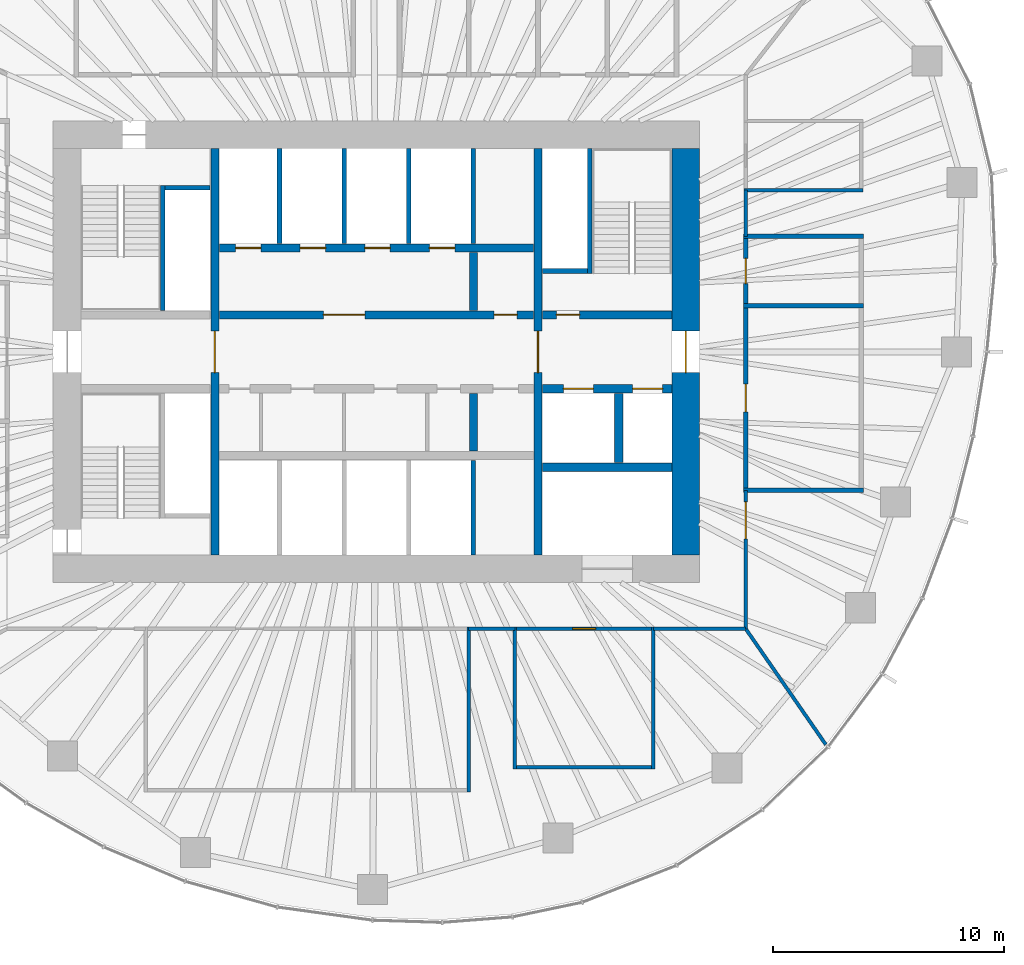
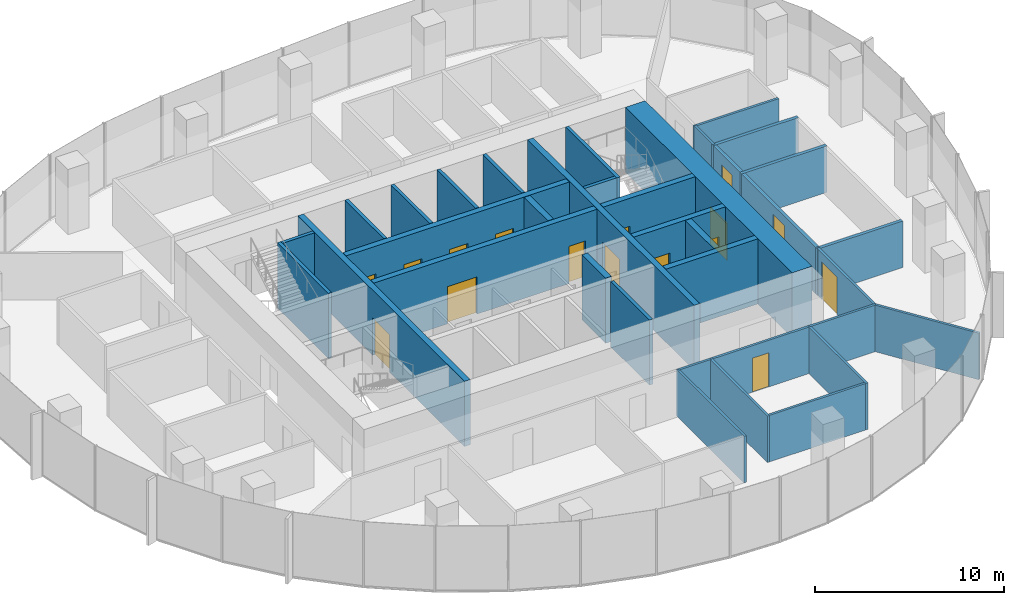
# One storey, part 9 of 11: 36 walls, 16 doors, 16 openings.
"""IFC4 building model written with IfcOpenShell, lengths in metres."""

from ifc_helpers import new_model, si_unit, direction, frame, frame_2d, origin, place, context, subcontext, project, spatial, rectangle, extrude, material, layer, layer_set, type_object, element, fill, save


model = new_model("IFC4")

# Units and contexts
model_context = context("Model", 3, precision=1e-05, world=origin(), true_north=direction((0.0, 1.0)))
body_context = subcontext(model_context, "Body", "Model", "MODEL_VIEW")
ifc_project = project(units=[si_unit("LENGTHUNIT", "METRE"), si_unit("AREAUNIT", "SQUARE_METRE"), si_unit("VOLUMEUNIT", "CUBIC_METRE"), si_unit("PLANEANGLEUNIT", "RADIAN"), si_unit("MASSUNIT", "GRAM", prefix="KILO")], contexts=[model_context])

# Site, building, storey
site_placement = place(None, origin())
site = spatial("IfcSite", under=ifc_project, at=site_placement, CompositionType="ELEMENT")
building_placement = place(site_placement, origin())
building = spatial("IfcBuilding", under=site, at=building_placement, Name="Ghaith Harvest Tower", CompositionType="ELEMENT")
storey_placement = place(building_placement, frame((0.0, 0.0, 215.800048828125)))
storey = spatial("IfcBuildingStorey", under=building, at=storey_placement, Name="L47", CompositionType="ELEMENT", Elevation=215.800048828125)

# Walls
ifc_material_1 = material(Name="Twin-stud gypsum board, acoustic", Category="gypsum")
ifc_layer_1 = layer(ifc_material_1, 0.199951171875)
ifc_layer_set_1 = layer_set([ifc_layer_1], Name="ACOUSTIC PARTITION 200")
wall_type_1 = type_object("IfcWallType", Name="ACOUSTIC PARTITION 200", PredefinedType="PARTITIONING", material=ifc_layer_set_1)
for number, where, z_axis, x_axis, name in (
    (1, (15.89990234375, -6.0, 0.0), (0.0, 0.0, 1.0), (1.0, 0.0, 0.0), "Partition L47 row E5 cross wall 1"),
    (2, (15.89990234375, 2.0, 0.0), (0.0, 0.0, 1.0), (1.0, 0.0, 0.0), "Partition L47 row E5 cross wall 2"),
    (3, (15.89990234375, 5.0, 0.0), (0.0, 0.0, 1.0), (1.0, 0.0, 0.0), "Partition L47 row E5 cross wall 3"),
):
    element("IfcWall", number, at=place(storey_placement, frame(where, z_axis=z_axis, x_axis=x_axis)), inside=storey, type_object=wall_type_1, Name=name, PredefinedType="PARTITIONING", context=body_context, shape_type="SweptSolid", body=[
        extrude(rectangle(XDim=5.2001953125, YDim=0.199951171875, at=frame_2d((2.60009765625, 0.0))), origin(), (0.0, 0.0, 1.0), 3.0),
    ])

# Wall, opening, door
wall_1_placement = place(storey_placement, frame((16.0, -5.89990234375, 0.0), z_axis=(0.0, 0.0, 1.0), x_axis=(0.0, 1.0, 0.0)))
wall_1 = element("IfcWall", 4, at=wall_1_placement, inside=storey, type_object=wall_type_1, Name="Partition L47-10", PredefinedType="PARTITIONING", context=body_context, shape_type="SweptSolid", body=[
    extrude(rectangle(XDim=7.7998046875, YDim=0.199951171875, at=frame_2d((3.89990234375, 0.0))), origin(), (0.0, 0.0, 1.0), 3.0),
])
opening_1_placement = place(wall_1_placement, frame((3.300048828125, 0.0, 0.0)))
opening_1 = element("IfcOpeningElement", 5, at=opening_1_placement, cuts=wall_1, Name="Opening 47-031", PredefinedType="OPENING", context=body_context, shape_type="SweptSolid", body=[
    extrude(rectangle(XDim=1.199951171875, YDim=2.39990234375, at=frame_2d((0.60009765625, 1.199951171875))), frame((0.0, 0.10986328125, 0.0), z_axis=(0.0, -1.0, 0.0), x_axis=(1.0, 0.0, 0.0)), (0.0, 0.0, 1.0), 0.219970703125),
])
ifc_material_2 = material(Name="Timber door", Category="wood")
door_type_1 = type_object("IfcDoorType", Name="D11 GLAZED 1200x2400", OperationType="SINGLE_SWING_LEFT", PredefinedType="DOOR", material=ifc_material_2)
door_1_placement = place(opening_1_placement, origin())
door_1 = element("IfcDoor", 6, at=door_1_placement, inside=storey, type_object=door_type_1, Name="Meeting room door", OperationType="SINGLE_SWING_LEFT", OverallHeight=2.39990234375, OverallWidth=1.199951171875, PredefinedType="DOOR", context=body_context, shape_type="SweptSolid", body=[
    extrude(rectangle(XDim=1.199951171875, YDim=2.39990234375, at=frame_2d((0.60009765625, 1.199951171875))), frame((0.0, 0.02490234375, 0.0), z_axis=(0.0, -1.0, 0.0), x_axis=(1.0, 0.0, 0.0)), (0.0, 0.0, 1.0), 0.050048828125),
])
fill(opening_1, door_1)

wall_2_placement = place(storey_placement, frame((16.0, 2.10009765625, 0.0), z_axis=(0.0, 0.0, 1.0), x_axis=(0.0, 1.0, 0.0)))
wall_2 = element("IfcWall", 7, at=wall_2_placement, inside=storey, type_object=wall_type_1, Name="Partition L47-11", PredefinedType="PARTITIONING", context=body_context, shape_type="SweptSolid", body=[
    extrude(rectangle(XDim=2.7998046875, YDim=0.199951171875, at=frame_2d((1.39990234375, 0.0))), origin(), (0.0, 0.0, 1.0), 3.0),
])
opening_2_placement = place(wall_2_placement, frame((0.85009765625, 0.0, 0.0)))
opening_2 = element("IfcOpeningElement", 8, at=opening_2_placement, cuts=wall_2, Name="Opening 47-032", PredefinedType="OPENING", context=body_context, shape_type="SweptSolid", body=[
    extrude(rectangle(XDim=1.10009765625, YDim=2.300048828125, at=frame_2d((0.550048828125, 1.14990234375))), frame((0.0, 0.10986328125, 0.0), z_axis=(0.0, -1.0, 0.0), x_axis=(1.0, 0.0, 0.0)), (0.0, 0.0, 1.0), 0.219970703125),
])
ifc_material_3 = material(Name="Timber-framed glazed door", Category="wood")
door_type_2 = type_object("IfcDoorType", Name="D12 GLAZED OFFICE 1100x2300", OperationType="SINGLE_SWING_LEFT", PredefinedType="DOOR", material=ifc_material_3)
door_2_placement = place(opening_2_placement, origin())
door_2 = element("IfcDoor", 9, at=door_2_placement, inside=storey, type_object=door_type_2, Name="Focus room door", OperationType="SINGLE_SWING_LEFT", OverallHeight=2.300048828125, OverallWidth=1.10009765625, PredefinedType="DOOR", context=body_context, shape_type="SweptSolid", body=[
    extrude(rectangle(XDim=1.10009765625, YDim=2.300048828125, at=frame_2d((0.550048828125, 1.14990234375))), frame((0.0, 0.02490234375, 0.0), z_axis=(0.0, -1.0, 0.0), x_axis=(1.0, 0.0, 0.0)), (0.0, 0.0, 1.0), 0.050048828125),
])
fill(opening_2, door_2)

ifc_material_4 = material(Name="Concrete C60/75", Category="concrete")
ifc_layer_2 = layer(ifc_material_4, 1.199951171875)
ifc_layer_set_2 = layer_set([ifc_layer_2], Name="CORE WALL CW1200 C60")
wall_type_2 = type_object("IfcWallType", Name="CORE WALL CW1200 C60", PredefinedType="SHEAR", material=ifc_layer_set_2)
wall_3_placement = place(storey_placement, frame((13.39990234375, -8.800048828125, 0.0), z_axis=(0.0, 0.0, 1.0), x_axis=(0.0, 1.0, 0.0)))
wall_3 = element("IfcWall", 10, at=wall_3_placement, inside=storey, type_object=wall_type_2, Name="Core wall E L47", PredefinedType="SHEAR", context=body_context, shape_type="SweptSolid", body=[
    extrude(rectangle(XDim=17.60009765625, YDim=1.199951171875, at=frame_2d((8.800048828125, 0.0))), origin(), (0.0, 0.0, 1.0), 4.199951171875),
])
opening_3_placement = place(wall_3_placement, frame((7.89990234375, 0.0, 0.0)))
opening_3 = element("IfcOpeningElement", 11, at=opening_3_placement, cuts=wall_3, Name="Opening 47-002", PredefinedType="OPENING", context=body_context, shape_type="SweptSolid", body=[
    extrude(rectangle(XDim=1.800048828125, YDim=2.39990234375, at=frame_2d((0.89990234375, 1.199951171875))), frame((0.0, 0.60986328125, 0.0), z_axis=(0.0, -1.0, 0.0), x_axis=(1.0, 0.0, 0.0)), (0.0, 0.0, 1.0), 1.219970703125),
])
ifc_material_5 = material(Name="Steel fire door", Category="steel")
door_type_3 = type_object("IfcDoorType", Name="D4 FD90 PAIR 1800x2400", OperationType="DOUBLE_DOOR_SINGLE_SWING", PredefinedType="DOOR", material=ifc_material_5)
door_3_placement = place(opening_3_placement, origin())
door_3 = element("IfcDoor", 12, at=door_3_placement, inside=storey, type_object=door_type_3, Name="Fire-fighting lobby doors", OperationType="DOUBLE_DOOR_SINGLE_SWING", OverallHeight=2.39990234375, OverallWidth=1.800048828125, PredefinedType="DOOR", context=body_context, shape_type="SweptSolid", body=[
    extrude(rectangle(XDim=1.800048828125, YDim=2.39990234375, at=frame_2d((0.89990234375, 1.199951171875))), frame((0.0, 0.02490234375, 0.0), z_axis=(0.0, -1.0, 0.0), x_axis=(1.0, 0.0, 0.0)), (0.0, 0.0, 1.0), 0.050048828125),
])
fill(opening_3, door_3)

# Walls
ifc_material_6 = material(Name="Concrete blockwork, 2-hour", Category="masonry")
ifc_layer_3 = layer(ifc_material_6, 0.199951171875)
ifc_layer_set_3 = layer_set([ifc_layer_3], Name="LIFT SHAFT WALL 200")
wall_type_3 = type_object("IfcWallType", Name="LIFT SHAFT WALL 200", PredefinedType="PARTITIONING", material=ifc_layer_set_3)
for number, where, z_axis, x_axis, name in (
    (13, (-4.199951171875, 4.699951171875, 0.0), (0.0, 0.0, 1.0), (0.0, 1.0, 0.0), "Lift shaft wall L47"),
    (14, (-1.39990234375, 4.699951171875, 0.0), (0.0, 0.0, 1.0), (0.0, 1.0, 0.0), "Lift shaft wall L47"),
    (15, (1.39990234375, 4.699951171875, 0.0), (0.0, 0.0, 1.0), (0.0, 1.0, 0.0), "Lift shaft wall L47"),
    (16, (4.199951171875, 4.699951171875, 0.0), (0.0, 0.0, 1.0), (0.0, 1.0, 0.0), "Lift shaft wall L47"),
    (17, (4.199951171875, -4.699951171875, 0.0), (0.0, 0.0, 1.0), (0.0, -1.0, 0.0), "Lift shaft wall L47"),
):
    element("IfcWall", number, at=place(storey_placement, frame(where, z_axis=z_axis, x_axis=x_axis)), inside=storey, type_object=wall_type_3, Name=name, PredefinedType="PARTITIONING", context=body_context, shape_type="SweptSolid", body=[
        extrude(rectangle(XDim=4.10009765625, YDim=0.199951171875, at=frame_2d((2.050048828125, 0.0))), origin(), (0.0, 0.0, 1.0), 4.199951171875),
    ])
ifc_material_7 = material(Name="Gypsum board on steel studs", Category="steel")
ifc_layer_4 = layer(ifc_material_7, 0.14990234375)
ifc_layer_set_4 = layer_set([ifc_layer_4], Name="PARTITION 150")
wall_type_4 = type_object("IfcWallType", Name="PARTITION 150", PredefinedType="PARTITIONING", material=ifc_layer_set_4)
wall_4_placement = place(storey_placement, frame((4.0, -11.925048828125, 0.0), z_axis=(0.0, 0.0, 1.0), x_axis=(0.0, -1.0, 0.0)))
element("IfcWall", 18, at=wall_4_placement, inside=storey, type_object=wall_type_4, Name="Partition L47 row S3 cross wall 3", PredefinedType="PARTITIONING", context=body_context, shape_type="SweptSolid", body=[
    extrude(rectangle(XDim=7.14990234375, YDim=0.14990234375, at=frame_2d((3.574951171875, 0.0))), origin(), (0.0, 0.0, 1.0), 3.0),
])
for number, where, z_axis, x_axis, name in (
    (19, (6.0, -11.925048828125, 0.0), (0.0, 0.0, 1.0), (0.0, -1.0, 0.0), "Partition L47 row S4 cross wall 1"),
    (20, (12.0, -11.925048828125, 0.0), (0.0, 0.0, 1.0), (0.0, -1.0, 0.0), "Partition L47 row S4 cross wall 2"),
):
    element("IfcWall", number, at=place(storey_placement, frame(where, z_axis=z_axis, x_axis=x_axis)), inside=storey, type_object=wall_type_4, Name=name, PredefinedType="PARTITIONING", context=body_context, shape_type="SweptSolid", body=[
        extrude(rectangle(XDim=6.14990234375, YDim=0.14990234375, at=frame_2d((3.074951171875, 0.0))), origin(), (0.0, 0.0, 1.0), 3.0),
    ])

# Wall, opening, door
wall_5_placement = place(storey_placement, frame((6.074951171875, -12.0, 0.0), z_axis=(0.0, 0.0, 1.0), x_axis=(1.0, 0.0, 0.0)))
wall_5 = element("IfcWall", 21, at=wall_5_placement, inside=storey, type_object=wall_type_4, Name="Partition L47-09", PredefinedType="PARTITIONING", context=body_context, shape_type="SweptSolid", body=[
    extrude(rectangle(XDim=5.85009765625, YDim=0.14990234375, at=frame_2d((2.925048828125, 0.0))), origin(), (0.0, 0.0, 1.0), 3.0),
])
opening_4_placement = place(wall_5_placement, frame((2.425048828125, 0.0, 0.0)))
opening_4 = element("IfcOpeningElement", 22, at=opening_4_placement, cuts=wall_5, Name="Opening 47-030", PredefinedType="OPENING", context=body_context, shape_type="SweptSolid", body=[
    extrude(rectangle(XDim=1.0, YDim=2.199951171875, at=frame_2d((0.5, 1.10009765625))), frame((0.0, 0.0849609375, 0.0), z_axis=(0.0, -1.0, 0.0), x_axis=(1.0, 0.0, 0.0)), (0.0, 0.0, 1.0), 0.169921875),
])
ifc_material_8 = material(Name="Timber door", Category="wood")
door_type_4 = type_object("IfcDoorType", Name="D1 SINGLE 1000x2200", OperationType="SINGLE_SWING_LEFT", PredefinedType="DOOR", material=ifc_material_8)
door_4_placement = place(opening_4_placement, origin())
door_4 = element("IfcDoor", 23, at=door_4_placement, inside=storey, type_object=door_type_4, Name="Pantry door", OperationType="SINGLE_SWING_LEFT", OverallHeight=2.199951171875, OverallWidth=1.0, PredefinedType="DOOR", context=body_context, shape_type="SweptSolid", body=[
    extrude(rectangle(XDim=1.0, YDim=2.199951171875, at=frame_2d((0.5, 1.10009765625))), frame((0.0, 0.02490234375, 0.0), z_axis=(0.0, -1.0, 0.0), x_axis=(1.0, 0.0, 0.0)), (0.0, 0.0, 1.0), 0.050048828125),
])
fill(opening_4, door_4)

# Walls
wall_6_placement = place(storey_placement, frame((6.074951171875, -18.0, 0.0), z_axis=(0.0, 0.0, 1.0), x_axis=(1.0, 0.0, 0.0)))
element("IfcWall", 24, at=wall_6_placement, inside=storey, type_object=wall_type_4, Name="Partition L47-09", PredefinedType="PARTITIONING", context=body_context, shape_type="SweptSolid", body=[
    extrude(rectangle(XDim=5.85009765625, YDim=0.14990234375, at=frame_2d((2.925048828125, 0.0))), origin(), (0.0, 0.0, 1.0), 3.0),
])
wall_7_placement = place(storey_placement, frame((15.925048828125, 7.0, 0.0), z_axis=(0.0, 0.0, 1.0), x_axis=(1.0, 0.0, 0.0)))
element("IfcWall", 25, at=wall_7_placement, inside=storey, type_object=wall_type_4, Name="Partition L47 row E7 cross wall 1", PredefinedType="PARTITIONING", context=body_context, shape_type="SweptSolid", body=[
    extrude(rectangle(XDim=5.14990234375, YDim=0.14990234375, at=frame_2d((2.574951171875, 0.0))), origin(), (0.0, 0.0, 1.0), 3.0),
])
wall_8_placement = place(storey_placement, frame((16.011474609375, -12.016357421875, 0.0), z_axis=(0.0, 0.0, 1.0), x_axis=(0.568863489071, -0.822431961199, 0.0)))
element("IfcWall", 26, at=wall_8_placement, inside=storey, type_object=wall_type_4, Name="Partition L47 zone division", PredefinedType="PARTITIONING", context=body_context, shape_type="SweptSolid", body=[
    extrude(rectangle(XDim=6.0830078125, YDim=0.14990234375, at=frame_2d((3.04150390625, 0.0))), origin(), (0.0, 0.0, 1.0), 3.0),
])

# Wall, opening, door
wall_9_placement = place(storey_placement, frame((16.0, -12.0, 0.0), z_axis=(0.0, 0.0, 1.0), x_axis=(0.0, 1.0, 0.0)))
wall_9 = element("IfcWall", 27, at=wall_9_placement, inside=storey, type_object=wall_type_4, Name="Partition L47 zone enclosure", PredefinedType="PARTITIONING", context=body_context, shape_type="SweptSolid", body=[
    extrude(rectangle(XDim=6.0, YDim=0.14990234375, at=frame_2d((3.0, 0.0))), origin(), (0.0, 0.0, 1.0), 3.0),
])
opening_5_placement = place(wall_9_placement, frame((3.89990234375, 0.0, 0.0)))
opening_5 = element("IfcOpeningElement", 28, at=opening_5_placement, cuts=wall_9, Name="Opening 47-037", PredefinedType="OPENING", context=body_context, shape_type="SweptSolid", body=[
    extrude(rectangle(XDim=1.60009765625, YDim=2.39990234375, at=frame_2d((0.800048828125, 1.199951171875))), frame((0.0, 0.0849609375, 0.0), z_axis=(0.0, -1.0, 0.0), x_axis=(1.0, 0.0, 0.0)), (0.0, 0.0, 1.0), 0.169921875),
])
ifc_material_9 = material(Name="Timber door", Category="wood")
door_type_5 = type_object("IfcDoorType", Name="D2 PAIR 1600x2400", OperationType="DOUBLE_DOOR_SINGLE_SWING", PredefinedType="DOOR", material=ifc_material_9)
door_5_placement = place(opening_5_placement, origin())
door_5 = element("IfcDoor", 29, at=door_5_placement, inside=storey, type_object=door_type_5, Name="Engineering studio east door", OperationType="DOUBLE_DOOR_SINGLE_SWING", OverallHeight=2.39990234375, OverallWidth=1.60009765625, PredefinedType="DOOR", context=body_context, shape_type="SweptSolid", body=[
    extrude(rectangle(XDim=1.60009765625, YDim=2.39990234375, at=frame_2d((0.800048828125, 1.199951171875))), frame((0.0, 0.02490234375, 0.0), z_axis=(0.0, -1.0, 0.0), x_axis=(1.0, 0.0, 0.0)), (0.0, 0.0, 1.0), 0.050048828125),
])
fill(opening_5, door_5)

# Walls
for number, where, z_axis, x_axis, name in (
    (30, (16.0, 5.0, 0.0), (0.0, 0.0, 1.0), (0.0, 1.0, 0.0), "Partition L47 zone enclosure"),
    (31, (4.0, -12.0, 0.0), (0.0, 0.0, 1.0), (1.0, 0.0, 0.0), "Partition L47 zone enclosure"),
):
    element("IfcWall", number, at=place(storey_placement, frame(where, z_axis=z_axis, x_axis=x_axis)), inside=storey, type_object=wall_type_4, Name=name, PredefinedType="PARTITIONING", context=body_context, shape_type="SweptSolid", body=[
        extrude(rectangle(XDim=2.0, YDim=0.14990234375, at=frame_2d((1.0, 0.0))), origin(), (0.0, 0.0, 1.0), 3.0),
    ])
wall_10_placement = place(storey_placement, frame((12.0, -12.0, 0.0), z_axis=(0.0, 0.0, 1.0), x_axis=(1.0, 0.0, 0.0)))
element("IfcWall", 32, at=wall_10_placement, inside=storey, type_object=wall_type_4, Name="Partition L47 zone enclosure", PredefinedType="PARTITIONING", context=body_context, shape_type="SweptSolid", body=[
    extrude(rectangle(XDim=4.0, YDim=0.14990234375, at=frame_2d((2.0, 0.0))), origin(), (0.0, 0.0, 1.0), 3.0),
])

# Wall, opening, door
ifc_material_10 = material(Name="Concrete C60/75", Category="concrete")
ifc_layer_5 = layer(ifc_material_10, 0.35009765625)
ifc_layer_set_5 = layer_set([ifc_layer_5], Name="SHAFT WALL 350")
wall_type_5 = type_object("IfcWallType", Name="SHAFT WALL 350", PredefinedType="SHEAR", material=ifc_layer_set_5)
wall_11_placement = place(storey_placement, frame((-7.0, -8.800048828125, 0.0), z_axis=(0.0, 0.0, 1.0), x_axis=(0.0, 1.0, 0.0)))
wall_11 = element("IfcWall", 33, at=wall_11_placement, inside=storey, type_object=wall_type_5, Name="Shaft wall W7W L47", PredefinedType="SHEAR", context=body_context, shape_type="SweptSolid", body=[
    extrude(rectangle(XDim=17.60009765625, YDim=0.35009765625, at=frame_2d((8.800048828125, 0.0))), origin(), (0.0, 0.0, 1.0), 4.199951171875),
])
opening_6_placement = place(wall_11_placement, frame((7.89990234375, 0.0, 0.0)))
opening_6 = element("IfcOpeningElement", 34, at=opening_6_placement, cuts=wall_11, Name="Opening 47-003", PredefinedType="OPENING", context=body_context, shape_type="SweptSolid", body=[
    extrude(rectangle(XDim=1.800048828125, YDim=2.39990234375, at=frame_2d((0.89990234375, 1.199951171875))), frame((0.0, 0.18505859375, 0.0), z_axis=(0.0, -1.0, 0.0), x_axis=(1.0, 0.0, 0.0)), (0.0, 0.0, 1.0), 0.3701171875),
])
door_6_placement = place(opening_6_placement, origin())
door_6 = element("IfcDoor", 35, at=door_6_placement, inside=storey, type_object=door_type_3, Name="Lift lobby doors, west", OperationType="DOUBLE_DOOR_SINGLE_SWING", OverallHeight=2.39990234375, OverallWidth=1.800048828125, PredefinedType="DOOR", context=body_context, shape_type="SweptSolid", body=[
    extrude(rectangle(XDim=1.800048828125, YDim=2.39990234375, at=frame_2d((0.89990234375, 1.199951171875))), frame((0.0, 0.02490234375, 0.0), z_axis=(0.0, -1.0, 0.0), x_axis=(1.0, 0.0, 0.0)), (0.0, 0.0, 1.0), 0.050048828125),
])
fill(opening_6, door_6)

wall_12_placement = place(storey_placement, frame((7.0, -8.800048828125, 0.0), z_axis=(0.0, 0.0, 1.0), x_axis=(0.0, 1.0, 0.0)))
wall_12 = element("IfcWall", 36, at=wall_12_placement, inside=storey, type_object=wall_type_5, Name="Shaft wall W7E L47", PredefinedType="SHEAR", context=body_context, shape_type="SweptSolid", body=[
    extrude(rectangle(XDim=17.60009765625, YDim=0.35009765625, at=frame_2d((8.800048828125, 0.0))), origin(), (0.0, 0.0, 1.0), 4.199951171875),
])
opening_7_placement = place(wall_12_placement, frame((7.89990234375, 0.0, 0.0)))
opening_7 = element("IfcOpeningElement", 37, at=opening_7_placement, cuts=wall_12, Name="Opening 47-004", PredefinedType="OPENING", context=body_context, shape_type="SweptSolid", body=[
    extrude(rectangle(XDim=1.800048828125, YDim=2.39990234375, at=frame_2d((0.89990234375, 1.199951171875))), frame((0.0, 0.18505859375, 0.0), z_axis=(0.0, -1.0, 0.0), x_axis=(1.0, 0.0, 0.0)), (0.0, 0.0, 1.0), 0.3701171875),
])
door_7_placement = place(opening_7_placement, origin())
door_7 = element("IfcDoor", 38, at=door_7_placement, inside=storey, type_object=door_type_3, Name="Lift lobby doors, east", OperationType="DOUBLE_DOOR_SINGLE_SWING", OverallHeight=2.39990234375, OverallWidth=1.800048828125, PredefinedType="DOOR", context=body_context, shape_type="SweptSolid", body=[
    extrude(rectangle(XDim=1.800048828125, YDim=2.39990234375, at=frame_2d((0.89990234375, 1.199951171875))), frame((0.0, 0.02490234375, 0.0), z_axis=(0.0, -1.0, 0.0), x_axis=(1.0, 0.0, 0.0)), (0.0, 0.0, 1.0), 0.050048828125),
])
fill(opening_7, door_7)

# Wall, openings, doors
wall_13_placement = place(storey_placement, frame((-6.800048828125, 1.60009765625, 0.0), z_axis=(0.0, 0.0, 1.0), x_axis=(1.0, 0.0, 0.0)))
wall_13 = element("IfcWall", 39, at=wall_13_placement, inside=storey, type_object=wall_type_5, Name="Shaft wall LN L47", PredefinedType="SHEAR", context=body_context, shape_type="SweptSolid", body=[
    extrude(rectangle(XDim=13.60009765625, YDim=0.35009765625, at=frame_2d((6.800048828125, 0.0))), origin(), (0.0, 0.0, 1.0), 4.199951171875),
])
opening_8_placement = place(wall_13_placement, frame((11.89990234375, 0.0, 0.0)))
opening_8 = element("IfcOpeningElement", 40, at=opening_8_placement, cuts=wall_13, Name="Opening 47-012", PredefinedType="OPENING", context=body_context, shape_type="SweptSolid", body=[
    extrude(rectangle(XDim=1.0, YDim=2.39990234375, at=frame_2d((0.5, 1.199951171875))), frame((0.0, 0.18505859375, 0.0), z_axis=(0.0, -1.0, 0.0), x_axis=(1.0, 0.0, 0.0)), (0.0, 0.0, 1.0), 0.3701171875),
])
opening_9_placement = place(wall_13_placement, frame((4.5, 0.0, 0.0)))
opening_9 = element("IfcOpeningElement", 41, at=opening_9_placement, cuts=wall_13, Name="Opening 47-014", PredefinedType="OPENING", context=body_context, shape_type="SweptSolid", body=[
    extrude(rectangle(XDim=1.800048828125, YDim=2.39990234375, at=frame_2d((0.89990234375, 1.199951171875))), frame((0.0, 0.18505859375, 0.0), z_axis=(0.0, -1.0, 0.0), x_axis=(1.0, 0.0, 0.0)), (0.0, 0.0, 1.0), 0.3701171875),
])
ifc_material_11 = material(Name="Steel fire door", Category="steel")
door_type_6 = type_object("IfcDoorType", Name="D3 FD90 1000x2400", OperationType="SINGLE_SWING_LEFT", PredefinedType="DOOR", material=ifc_material_11)
door_8_placement = place(opening_8_placement, origin())
door_8 = element("IfcDoor", 42, at=door_8_placement, inside=storey, type_object=door_type_6, Name="Electrical room door", OperationType="SINGLE_SWING_RIGHT", OverallHeight=2.39990234375, OverallWidth=1.0, PredefinedType="DOOR", context=body_context, shape_type="SweptSolid", body=[
    extrude(rectangle(XDim=1.0, YDim=2.39990234375, at=frame_2d((0.5, 1.199951171875))), frame((0.0, 0.02490234375, 0.0), z_axis=(0.0, -1.0, 0.0), x_axis=(1.0, 0.0, 0.0)), (0.0, 0.0, 1.0), 0.050048828125),
])
fill(opening_8, door_8)
door_9_placement = place(opening_9_placement, origin())
door_9 = element("IfcDoor", 43, at=door_9_placement, inside=storey, type_object=door_type_3, Name="Lift lobby doors, high-rise bank", OperationType="DOUBLE_DOOR_SINGLE_SWING", OverallHeight=2.39990234375, OverallWidth=1.800048828125, PredefinedType="DOOR", context=body_context, shape_type="SweptSolid", body=[
    extrude(rectangle(XDim=1.800048828125, YDim=2.39990234375, at=frame_2d((0.89990234375, 1.199951171875))), frame((0.0, 0.02490234375, 0.0), z_axis=(0.0, -1.0, 0.0), x_axis=(1.0, 0.0, 0.0)), (0.0, 0.0, 1.0), 0.050048828125),
])
fill(opening_9, door_9)

wall_14_placement = place(storey_placement, frame((-6.800048828125, 4.5, 0.0), z_axis=(0.0, 0.0, 1.0), x_axis=(1.0, 0.0, 0.0)))
wall_14 = element("IfcWall", 44, at=wall_14_placement, inside=storey, type_object=wall_type_5, Name="Shaft wall BN L47", PredefinedType="SHEAR", context=body_context, shape_type="SweptSolid", body=[
    extrude(rectangle(XDim=13.60009765625, YDim=0.35009765625, at=frame_2d((6.800048828125, 0.0))), origin(), (0.0, 0.0, 1.0), 4.199951171875),
])
opening_10_placement = place(wall_14_placement, frame((0.699951171875, 0.0, 0.0)))
opening_10 = element("IfcOpeningElement", 45, at=opening_10_placement, cuts=wall_14, Name="Opening 47-015", PredefinedType="OPENING", context=body_context, shape_type="SweptSolid", body=[
    extrude(rectangle(XDim=1.10009765625, YDim=2.39990234375, at=frame_2d((0.550048828125, 1.199951171875))), frame((0.0, 0.18505859375, 0.0), z_axis=(0.0, -1.0, 0.0), x_axis=(1.0, 0.0, 0.0)), (0.0, 0.0, 1.0), 0.3701171875),
])
opening_11_placement = place(wall_14_placement, frame((3.5, 0.0, 0.0)))
opening_11 = element("IfcOpeningElement", 46, at=opening_11_placement, cuts=wall_14, Name="Opening 47-016", PredefinedType="OPENING", context=body_context, shape_type="SweptSolid", body=[
    extrude(rectangle(XDim=1.10009765625, YDim=2.39990234375, at=frame_2d((0.550048828125, 1.199951171875))), frame((0.0, 0.18505859375, 0.0), z_axis=(0.0, -1.0, 0.0), x_axis=(1.0, 0.0, 0.0)), (0.0, 0.0, 1.0), 0.3701171875),
])
opening_12_placement = place(wall_14_placement, frame((6.300048828125, 0.0, 0.0)))
opening_12 = element("IfcOpeningElement", 47, at=opening_12_placement, cuts=wall_14, Name="Opening 47-017", PredefinedType="OPENING", context=body_context, shape_type="SweptSolid", body=[
    extrude(rectangle(XDim=1.10009765625, YDim=2.39990234375, at=frame_2d((0.550048828125, 1.199951171875))), frame((0.0, 0.18505859375, 0.0), z_axis=(0.0, -1.0, 0.0), x_axis=(1.0, 0.0, 0.0)), (0.0, 0.0, 1.0), 0.3701171875),
])
opening_13_placement = place(wall_14_placement, frame((9.10009765625, 0.0, 0.0)))
opening_13 = element("IfcOpeningElement", 48, at=opening_13_placement, cuts=wall_14, Name="Opening 47-018", PredefinedType="OPENING", context=body_context, shape_type="SweptSolid", body=[
    extrude(rectangle(XDim=1.10009765625, YDim=2.39990234375, at=frame_2d((0.550048828125, 1.199951171875))), frame((0.0, 0.18505859375, 0.0), z_axis=(0.0, -1.0, 0.0), x_axis=(1.0, 0.0, 0.0)), (0.0, 0.0, 1.0), 0.3701171875),
])
ifc_material_12 = material(Name="Steel fire door", Category="steel")
door_type_7 = type_object("IfcDoorType", Name="LD1 LANDING 1100x2400", OperationType="DOUBLE_DOOR_SLIDING", PredefinedType="DOOR", material=ifc_material_12)
door_10_placement = place(opening_10_placement, origin())
door_10 = element("IfcDoor", 49, at=door_10_placement, inside=storey, type_object=door_type_7, Name="Landing door, lift HR1", OperationType="DOUBLE_DOOR_SLIDING", OverallHeight=2.39990234375, OverallWidth=1.10009765625, PredefinedType="DOOR", context=body_context, shape_type="SweptSolid", body=[
    extrude(rectangle(XDim=1.10009765625, YDim=2.39990234375, at=frame_2d((0.550048828125, 1.199951171875))), frame((0.0, 0.02490234375, 0.0), z_axis=(0.0, -1.0, 0.0), x_axis=(1.0, 0.0, 0.0)), (0.0, 0.0, 1.0), 0.050048828125),
])
fill(opening_10, door_10)
door_11_placement = place(opening_11_placement, origin())
door_11 = element("IfcDoor", 50, at=door_11_placement, inside=storey, type_object=door_type_7, Name="Landing door, lift HR2", OperationType="DOUBLE_DOOR_SLIDING", OverallHeight=2.39990234375, OverallWidth=1.10009765625, PredefinedType="DOOR", context=body_context, shape_type="SweptSolid", body=[
    extrude(rectangle(XDim=1.10009765625, YDim=2.39990234375, at=frame_2d((0.550048828125, 1.199951171875))), frame((0.0, 0.02490234375, 0.0), z_axis=(0.0, -1.0, 0.0), x_axis=(1.0, 0.0, 0.0)), (0.0, 0.0, 1.0), 0.050048828125),
])
fill(opening_11, door_11)
door_12_placement = place(opening_12_placement, origin())
door_12 = element("IfcDoor", 51, at=door_12_placement, inside=storey, type_object=door_type_7, Name="Landing door, lift HR3", OperationType="DOUBLE_DOOR_SLIDING", OverallHeight=2.39990234375, OverallWidth=1.10009765625, PredefinedType="DOOR", context=body_context, shape_type="SweptSolid", body=[
    extrude(rectangle(XDim=1.10009765625, YDim=2.39990234375, at=frame_2d((0.550048828125, 1.199951171875))), frame((0.0, 0.02490234375, 0.0), z_axis=(0.0, -1.0, 0.0), x_axis=(1.0, 0.0, 0.0)), (0.0, 0.0, 1.0), 0.050048828125),
])
fill(opening_12, door_12)
door_13_placement = place(opening_13_placement, origin())
door_13 = element("IfcDoor", 52, at=door_13_placement, inside=storey, type_object=door_type_7, Name="Landing door, lift HR4", OperationType="DOUBLE_DOOR_SLIDING", OverallHeight=2.39990234375, OverallWidth=1.10009765625, PredefinedType="DOOR", context=body_context, shape_type="SweptSolid", body=[
    extrude(rectangle(XDim=1.10009765625, YDim=2.39990234375, at=frame_2d((0.550048828125, 1.199951171875))), frame((0.0, 0.02490234375, 0.0), z_axis=(0.0, -1.0, 0.0), x_axis=(1.0, 0.0, 0.0)), (0.0, 0.0, 1.0), 0.050048828125),
])
fill(opening_13, door_13)

# Wall, opening, door
wall_15_placement = place(storey_placement, frame((7.199951171875, 1.60009765625, 0.0), z_axis=(0.0, 0.0, 1.0), x_axis=(1.0, 0.0, 0.0)))
wall_15 = element("IfcWall", 53, at=wall_15_placement, inside=storey, type_object=wall_type_5, Name="Shaft wall EN L47", PredefinedType="SHEAR", context=body_context, shape_type="SweptSolid", body=[
    extrude(rectangle(XDim=5.60009765625, YDim=0.35009765625, at=frame_2d((2.800048828125, 0.0))), origin(), (0.0, 0.0, 1.0), 4.199951171875),
])
opening_14_placement = place(wall_15_placement, frame((0.60009765625, 0.0, 0.0)))
opening_14 = element("IfcOpeningElement", 54, at=opening_14_placement, cuts=wall_15, Name="Opening 47-007", PredefinedType="OPENING", context=body_context, shape_type="SweptSolid", body=[
    extrude(rectangle(XDim=1.0, YDim=2.39990234375, at=frame_2d((0.5, 1.199951171875))), frame((0.0, 0.18505859375, 0.0), z_axis=(0.0, -1.0, 0.0), x_axis=(1.0, 0.0, 0.0)), (0.0, 0.0, 1.0), 0.3701171875),
])
door_14_placement = place(opening_14_placement, origin())
door_14 = element("IfcDoor", 55, at=door_14_placement, inside=storey, type_object=door_type_6, Name="Stair ST2 door", OperationType="SINGLE_SWING_LEFT", OverallHeight=2.39990234375, OverallWidth=1.0, PredefinedType="DOOR", context=body_context, shape_type="SweptSolid", body=[
    extrude(rectangle(XDim=1.0, YDim=2.39990234375, at=frame_2d((0.5, 1.199951171875))), frame((0.0, 0.02490234375, 0.0), z_axis=(0.0, -1.0, 0.0), x_axis=(1.0, 0.0, 0.0)), (0.0, 0.0, 1.0), 0.050048828125),
])
fill(opening_14, door_14)

# Wall, openings, doors
wall_16_placement = place(storey_placement, frame((7.199951171875, -1.60009765625, 0.0), z_axis=(0.0, 0.0, 1.0), x_axis=(1.0, 0.0, 0.0)))
wall_16 = element("IfcWall", 56, at=wall_16_placement, inside=storey, type_object=wall_type_5, Name="Shaft wall ES L47", PredefinedType="SHEAR", context=body_context, shape_type="SweptSolid", body=[
    extrude(rectangle(XDim=5.60009765625, YDim=0.35009765625, at=frame_2d((2.800048828125, 0.0))), origin(), (0.0, 0.0, 1.0), 4.199951171875),
])
opening_15_placement = place(wall_16_placement, frame((0.89990234375, 0.0, 0.0)))
opening_15 = element("IfcOpeningElement", 57, at=opening_15_placement, cuts=wall_16, Name="Opening 47-019", PredefinedType="OPENING", context=body_context, shape_type="SweptSolid", body=[
    extrude(rectangle(XDim=1.300048828125, YDim=2.39990234375, at=frame_2d((0.64990234375, 1.199951171875))), frame((0.0, 0.18505859375, 0.0), z_axis=(0.0, -1.0, 0.0), x_axis=(1.0, 0.0, 0.0)), (0.0, 0.0, 1.0), 0.3701171875),
])
opening_16_placement = place(wall_16_placement, frame((3.89990234375, 0.0, 0.0)))
opening_16 = element("IfcOpeningElement", 58, at=opening_16_placement, cuts=wall_16, Name="Opening 47-020", PredefinedType="OPENING", context=body_context, shape_type="SweptSolid", body=[
    extrude(rectangle(XDim=1.300048828125, YDim=2.39990234375, at=frame_2d((0.64990234375, 1.199951171875))), frame((0.0, 0.18505859375, 0.0), z_axis=(0.0, -1.0, 0.0), x_axis=(1.0, 0.0, 0.0)), (0.0, 0.0, 1.0), 0.3701171875),
])
ifc_material_13 = material(Name="Steel fire door", Category="steel")
door_type_8 = type_object("IfcDoorType", Name="LD2 LANDING 1300x2400", OperationType="DOUBLE_DOOR_SLIDING", PredefinedType="DOOR", material=ifc_material_13)
door_15_placement = place(opening_15_placement, origin())
door_15 = element("IfcDoor", 59, at=door_15_placement, inside=storey, type_object=door_type_8, Name="Landing door, fire service lift FL1", OperationType="DOUBLE_DOOR_SLIDING", OverallHeight=2.39990234375, OverallWidth=1.300048828125, PredefinedType="DOOR", context=body_context, shape_type="SweptSolid", body=[
    extrude(rectangle(XDim=1.300048828125, YDim=2.39990234375, at=frame_2d((0.64990234375, 1.199951171875))), frame((0.0, 0.02490234375, 0.0), z_axis=(0.0, -1.0, 0.0), x_axis=(1.0, 0.0, 0.0)), (0.0, 0.0, 1.0), 0.050048828125),
])
fill(opening_15, door_15)
door_16_placement = place(opening_16_placement, origin())
door_16 = element("IfcDoor", 60, at=door_16_placement, inside=storey, type_object=door_type_8, Name="Landing door, fire service lift FL2", OperationType="DOUBLE_DOOR_SLIDING", OverallHeight=2.39990234375, OverallWidth=1.300048828125, PredefinedType="DOOR", context=body_context, shape_type="SweptSolid", body=[
    extrude(rectangle(XDim=1.300048828125, YDim=2.39990234375, at=frame_2d((0.64990234375, 1.199951171875))), frame((0.0, 0.02490234375, 0.0), z_axis=(0.0, -1.0, 0.0), x_axis=(1.0, 0.0, 0.0)), (0.0, 0.0, 1.0), 0.050048828125),
])
fill(opening_16, door_16)

# Walls
wall_17_placement = place(storey_placement, frame((10.5, -4.800048828125, 0.0), z_axis=(0.0, 0.0, 1.0), x_axis=(0.0, 1.0, 0.0)))
element("IfcWall", 61, at=wall_17_placement, inside=storey, type_object=wall_type_5, Name="Shaft wall FLD L47", PredefinedType="SHEAR", context=body_context, shape_type="SweptSolid", body=[
    extrude(rectangle(XDim=3.0, YDim=0.35009765625, at=frame_2d((1.5, 0.0))), origin(), (0.0, 0.0, 1.0), 4.199951171875),
])
wall_18_placement = place(storey_placement, frame((7.199951171875, -5.0, 0.0), z_axis=(0.0, 0.0, 1.0), x_axis=(1.0, 0.0, 0.0)))
element("IfcWall", 62, at=wall_18_placement, inside=storey, type_object=wall_type_5, Name="Shaft wall FLB L47", PredefinedType="SHEAR", context=body_context, shape_type="SweptSolid", body=[
    extrude(rectangle(XDim=5.60009765625, YDim=0.35009765625, at=frame_2d((2.800048828125, 0.0))), origin(), (0.0, 0.0, 1.0), 4.199951171875),
])
for number, where, z_axis, x_axis, name in (
    (63, (4.199951171875, 1.800048828125, 0.0), (0.0, 0.0, 1.0), (0.0, 1.0, 0.0), "Shaft wall DN4 L47"),
    (64, (4.199951171875, -4.300048828125, 0.0), (0.0, 0.0, 1.0), (0.0, 1.0, 0.0), "Shaft wall DS4 L47"),
):
    element("IfcWall", number, at=place(storey_placement, frame(where, z_axis=z_axis, x_axis=x_axis)), inside=storey, type_object=wall_type_5, Name=name, PredefinedType="SHEAR", context=body_context, shape_type="SweptSolid", body=[
        extrude(rectangle(XDim=2.5, YDim=0.35009765625, at=frame_2d((1.25, 0.0))), origin(), (0.0, 0.0, 1.0), 4.199951171875),
    ])
ifc_material_14 = material(Name="Concrete C40/50", Category="concrete")
ifc_layer_6 = layer(ifc_material_14, 0.199951171875)
ifc_layer_set_6 = layer_set([ifc_layer_6], Name="STAIR SPINE WALL RC200")
wall_type_6 = type_object("IfcWallType", Name="STAIR SPINE WALL RC200", PredefinedType="SOLIDWALL", material=ifc_layer_set_6)
wall_19_placement = place(storey_placement, frame((-9.25, 7.199951171875, 0.0), z_axis=(0.0, 0.0, 1.0), x_axis=(0.0, -1.0, 0.0)))
element("IfcWall", 65, at=wall_19_placement, inside=storey, type_object=wall_type_6, Name="Stair ST1 spine wall L47", PredefinedType="SOLIDWALL", context=body_context, shape_type="SweptSolid", body=[
    extrude(rectangle(XDim=5.39990234375, YDim=0.199951171875, at=frame_2d((2.699951171875, 0.0))), origin(), (0.0, 0.0, 1.0), 4.199951171875),
])
wall_20_placement = place(storey_placement, frame((-9.14990234375, 7.10009765625, 0.0), z_axis=(0.0, 0.0, 1.0), x_axis=(1.0, 0.0, 0.0)))
element("IfcWall", 66, at=wall_20_placement, inside=storey, type_object=wall_type_6, Name="Stair ST1 spine wall return L47", PredefinedType="SOLIDWALL", context=body_context, shape_type="SweptSolid", body=[
    extrude(rectangle(XDim=1.949951171875, YDim=0.199951171875, at=frame_2d((0.97509765625, 0.0))), origin(), (0.0, 0.0, 1.0), 4.199951171875),
])
wall_21_placement = place(storey_placement, frame((9.25, 3.39990234375, 0.0), z_axis=(0.0, 0.0, 1.0), x_axis=(0.0, 1.0, 0.0)))
element("IfcWall", 67, at=wall_21_placement, inside=storey, type_object=wall_type_6, Name="Stair ST2 spine wall L47", PredefinedType="SOLIDWALL", context=body_context, shape_type="SweptSolid", body=[
    extrude(rectangle(XDim=5.400146484375, YDim=0.199951171875, at=frame_2d((2.7001953125, 0.0))), origin(), (0.0, 0.0, 1.0), 4.199951171875),
])
wall_22_placement = place(storey_placement, frame((9.14990234375, 3.5, 0.0), z_axis=(0.0, 0.0, 1.0), x_axis=(-1.0, 0.0, 0.0)))
element("IfcWall", 68, at=wall_22_placement, inside=storey, type_object=wall_type_6, Name="Stair ST2 spine wall return L47", PredefinedType="SOLIDWALL", context=body_context, shape_type="SweptSolid", body=[
    extrude(rectangle(XDim=1.949951171875, YDim=0.199951171875, at=frame_2d((0.97509765625, 0.0))), origin(), (0.0, 0.0, 1.0), 4.199951171875),
])

save(model, "model.ifc")
